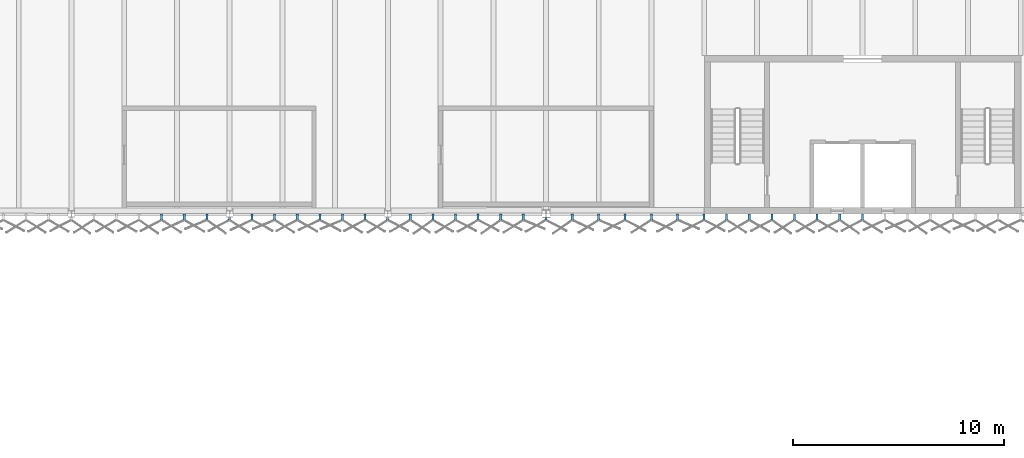
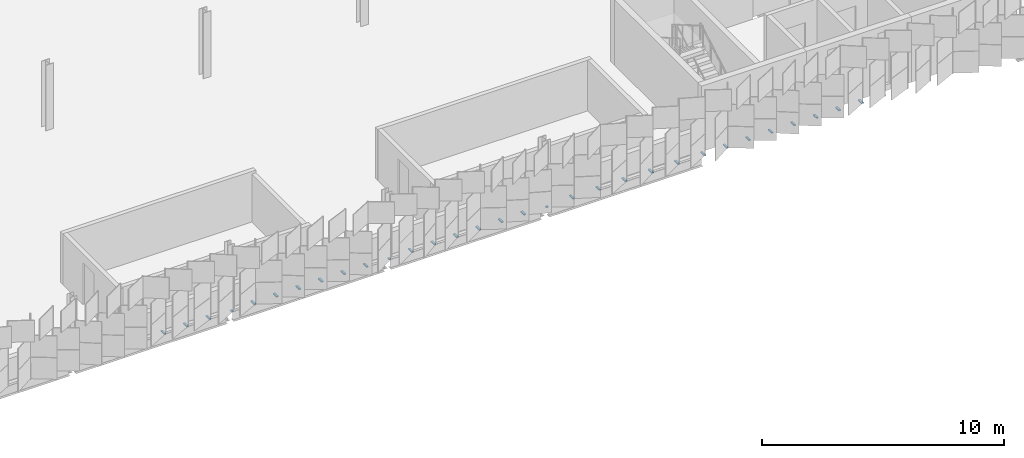
# One storey, part 166 of 198: 31 discrete accessories.
"""IFC4 building model written with IfcOpenShell, lengths in metres."""

from ifc_helpers import new_model, si_unit, direction, frame, origin, origin_2d, place, context, subcontext, project, spatial, rectangle, extrude, material, type_object, element, save


model = new_model("IFC4")

# Units and contexts
model_context = context("Model", 3, precision=1e-05, world=origin(), true_north=direction((0.0, 1.0)))
body_context = subcontext(model_context, "Body", "Model", "MODEL_VIEW")
ifc_project = project(units=[si_unit("LENGTHUNIT", "METRE"), si_unit("AREAUNIT", "SQUARE_METRE"), si_unit("VOLUMEUNIT", "CUBIC_METRE"), si_unit("PLANEANGLEUNIT", "RADIAN"), si_unit("MASSUNIT", "GRAM", prefix="KILO")], contexts=[model_context])

# Site, building, storey
site_placement = place(None, origin())
site = spatial("IfcSite", under=ifc_project, at=site_placement, CompositionType="ELEMENT")
building_placement = place(site_placement, origin())
building = spatial("IfcBuilding", under=site, at=building_placement, Name="Parallax Yard Mobility Hub", CompositionType="ELEMENT")
storey_placement = place(building_placement, frame((0.0, 0.0, 6.60009765625)))
storey = spatial("IfcBuildingStorey", under=building, at=storey_placement, Name="L02", CompositionType="ELEMENT", Elevation=6.60009765625)

# Discrete accessories
ifc_material = material(Name="Steel ASTM A36, hot-dip galvanised", Category="steel")
discrete_accessory_type = type_object("IfcDiscreteAccessoryType", Name="Hinge bracket plate 100x50", PredefinedType="BRACKET", material=ifc_material)
for number, where, z_axis, x_axis, name in (
    (1, (101.77587890625, 112.3583984375, -0.02490234375), (0.0, 0.0, 1.0), (0.0, -1.0, 0.0), "Hinge bracket plate bay 9.5 level L02"),
    (2, (102.847412109375, 112.3583984375, -0.02490234375), (0.0, 0.0, 1.0), (0.0, -1.0, 0.0), "Hinge bracket plate bay 9.6 level L02"),
    (3, (103.9189453125, 112.3583984375, -0.02490234375), (0.0, 0.0, 1.0), (0.0, -1.0, 0.0), "Hinge bracket plate bay 9.7 level L02"),
):
    element("IfcDiscreteAccessory", number, at=place(storey_placement, frame(where, z_axis=z_axis, x_axis=x_axis)), inside=storey, type_object=discrete_accessory_type, Name=name, PredefinedType="BRACKET", context=body_context, shape_type="SweptSolid", body=[
        extrude(rectangle(XDim=0.2841796875, YDim=0.10009765625, at=origin_2d()), origin(), (0.0, 0.0, 1.0), 0.050048828125),
    ])
discrete_accessory_1_placement = place(storey_placement, frame((104.990478515625, 112.28173828125, -0.02490234375), z_axis=(0.0, 0.0, 1.0), x_axis=(0.0, -1.0, 0.0)))
element("IfcDiscreteAccessory", 4, at=discrete_accessory_1_placement, inside=storey, type_object=discrete_accessory_type, Name="Hinge bracket plate bay 10.1 level L02", PredefinedType="BRACKET", context=body_context, shape_type="SweptSolid", body=[
    extrude(rectangle(XDim=0.130615234375, YDim=0.10009765625, at=origin_2d()), origin(), (0.0, 0.0, 1.0), 0.050048828125),
])
for number, where, z_axis, x_axis, name in (
    (5, (106.06201171875, 112.3583984375, -0.02490234375), (0.0, 0.0, 1.0), (0.0, -1.0, 0.0), "Hinge bracket plate bay 10.2 level L02"),
    (6, (107.13330078125, 112.3583984375, -0.02490234375), (0.0, 0.0, 1.0), (0.0, -1.0, 0.0), "Hinge bracket plate bay 10.3 level L02"),
    (7, (108.204833984375, 112.3583984375, -0.02490234375), (0.0, 0.0, 1.0), (0.0, -1.0, 0.0), "Hinge bracket plate bay 10.4 level L02"),
    (8, (109.2763671875, 112.3583984375, -0.02490234375), (0.0, 0.0, 1.0), (0.0, -1.0, 0.0), "Hinge bracket plate bay 10.5 level L02"),
    (9, (110.347900390625, 112.3583984375, -0.02490234375), (0.0, 0.0, 1.0), (0.0, -1.0, 0.0), "Hinge bracket plate bay 10.6 level L02"),
    (10, (111.41943359375, 112.3583984375, -0.02490234375), (0.0, 0.0, 1.0), (0.0, -1.0, 0.0), "Hinge bracket plate bay 10.7 level L02"),
):
    element("IfcDiscreteAccessory", number, at=place(storey_placement, frame(where, z_axis=z_axis, x_axis=x_axis)), inside=storey, type_object=discrete_accessory_type, Name=name, PredefinedType="BRACKET", context=body_context, shape_type="SweptSolid", body=[
        extrude(rectangle(XDim=0.2841796875, YDim=0.10009765625, at=origin_2d()), origin(), (0.0, 0.0, 1.0), 0.050048828125),
    ])
discrete_accessory_2_placement = place(storey_placement, frame((112.490966796875, 112.28173828125, -0.02490234375), z_axis=(0.0, 0.0, 1.0), x_axis=(0.0, -1.0, 0.0)))
element("IfcDiscreteAccessory", 11, at=discrete_accessory_2_placement, inside=storey, type_object=discrete_accessory_type, Name="Hinge bracket plate bay 11.1 level L02", PredefinedType="BRACKET", context=body_context, shape_type="SweptSolid", body=[
    extrude(rectangle(XDim=0.130615234375, YDim=0.10009765625, at=origin_2d()), origin(), (0.0, 0.0, 1.0), 0.050048828125),
])
for number, where, z_axis, x_axis, name in (
    (12, (113.5625, 112.3583984375, -0.02490234375), (0.0, 0.0, 1.0), (0.0, -1.0, 0.0), "Hinge bracket plate bay 11.2 level L02"),
    (13, (114.634033203125, 112.3583984375, -0.02490234375), (0.0, 0.0, 1.0), (0.0, -1.0, 0.0), "Hinge bracket plate bay 11.3 level L02"),
    (14, (115.70556640625, 112.3583984375, -0.02490234375), (0.0, 0.0, 1.0), (0.0, -1.0, 0.0), "Hinge bracket plate bay 11.4 level L02"),
    (15, (116.777099609375, 112.3583984375, -0.02490234375), (0.0, 0.0, 1.0), (0.0, -1.0, 0.0), "Hinge bracket plate bay 11.5 level L02"),
    (16, (117.848388671875, 112.3583984375, -0.02490234375), (0.0, 0.0, 1.0), (0.0, -1.0, 0.0), "Hinge bracket plate bay 11.6 level L02"),
    (17, (118.919921875, 112.3583984375, -0.02490234375), (0.0, 0.0, 1.0), (0.0, -1.0, 0.0), "Hinge bracket plate bay 11.7 level L02"),
):
    element("IfcDiscreteAccessory", number, at=place(storey_placement, frame(where, z_axis=z_axis, x_axis=x_axis)), inside=storey, type_object=discrete_accessory_type, Name=name, PredefinedType="BRACKET", context=body_context, shape_type="SweptSolid", body=[
        extrude(rectangle(XDim=0.2841796875, YDim=0.10009765625, at=origin_2d()), origin(), (0.0, 0.0, 1.0), 0.050048828125),
    ])
discrete_accessory_3_placement = place(storey_placement, frame((119.991455078125, 112.266357421875, -0.02490234375), z_axis=(0.0, 0.0, 1.0), x_axis=(0.0, -1.0, 0.0)))
element("IfcDiscreteAccessory", 18, at=discrete_accessory_3_placement, inside=storey, type_object=discrete_accessory_type, Name="Hinge bracket plate bay 12.1 level L02", PredefinedType="BRACKET", context=body_context, shape_type="SweptSolid", body=[
    extrude(rectangle(XDim=0.10009765625, YDim=0.10009765625, at=origin_2d()), origin(), (0.0, 0.0, 1.0), 0.050048828125),
])
for number, where, z_axis, x_axis, name in (
    (19, (121.24072265625, 112.3583984375, -0.02490234375), (0.0, 0.0, 1.0), (0.0, -1.0, 0.0), "Hinge bracket plate bay 12.2 level L02"),
    (20, (122.489990234375, 112.3583984375, -0.02490234375), (0.0, 0.0, 1.0), (0.0, -1.0, 0.0), "Hinge bracket plate bay 12.3 level L02"),
    (21, (123.7392578125, 112.3583984375, -0.02490234375), (0.0, 0.0, 1.0), (0.0, -1.0, 0.0), "Hinge bracket plate bay 12.4 level L02"),
    (22, (124.988525390625, 112.3583984375, -0.02490234375), (0.0, 0.0, 1.0), (0.0, -1.0, 0.0), "Hinge bracket plate bay 12.5 level L02"),
    (23, (126.23779296875, 112.3583984375, -0.02490234375), (0.0, 0.0, 1.0), (0.0, -1.0, 0.0), "Hinge bracket plate bay 12.6 level L02"),
    (24, (127.487060546875, 112.3583984375, -0.02490234375), (0.0, 0.0, 1.0), (0.0, -1.0, 0.0), "Hinge bracket plate bay 13.1 level L02"),
    (25, (128.55908203125, 112.3583984375, -0.02490234375), (0.0, 0.0, 1.0), (0.0, -1.0, 0.0), "Hinge bracket plate bay 13.2 level L02"),
    (26, (129.63134765625, 112.3583984375, -0.02490234375), (0.0, 0.0, 1.0), (0.0, -1.0, 0.0), "Hinge bracket plate bay 13.3 level L02"),
    (27, (130.70361328125, 112.3583984375, -0.02490234375), (0.0, 0.0, 1.0), (0.0, -1.0, 0.0), "Hinge bracket plate bay 13.4 level L02"),
    (28, (131.77587890625, 112.3583984375, -0.02490234375), (0.0, 0.0, 1.0), (0.0, -1.0, 0.0), "Hinge bracket plate bay 13.5 level L02"),
    (29, (132.84814453125, 112.3583984375, -0.02490234375), (0.0, 0.0, 1.0), (0.0, -1.0, 0.0), "Hinge bracket plate bay 13.6 level L02"),
    (30, (133.92041015625, 112.3583984375, -0.02490234375), (0.0, 0.0, 1.0), (0.0, -1.0, 0.0), "Hinge bracket plate bay 13.7 level L02"),
    (31, (134.992431640625, 112.3583984375, -0.02490234375), (0.0, 0.0, 1.0), (0.0, -1.0, 0.0), "Hinge bracket plate bay 13.8 level L02"),
):
    element("IfcDiscreteAccessory", number, at=place(storey_placement, frame(where, z_axis=z_axis, x_axis=x_axis)), inside=storey, type_object=discrete_accessory_type, Name=name, PredefinedType="BRACKET", context=body_context, shape_type="SweptSolid", body=[
        extrude(rectangle(XDim=0.2841796875, YDim=0.10009765625, at=origin_2d()), origin(), (0.0, 0.0, 1.0), 0.050048828125),
    ])

save(model, "model.ifc")
